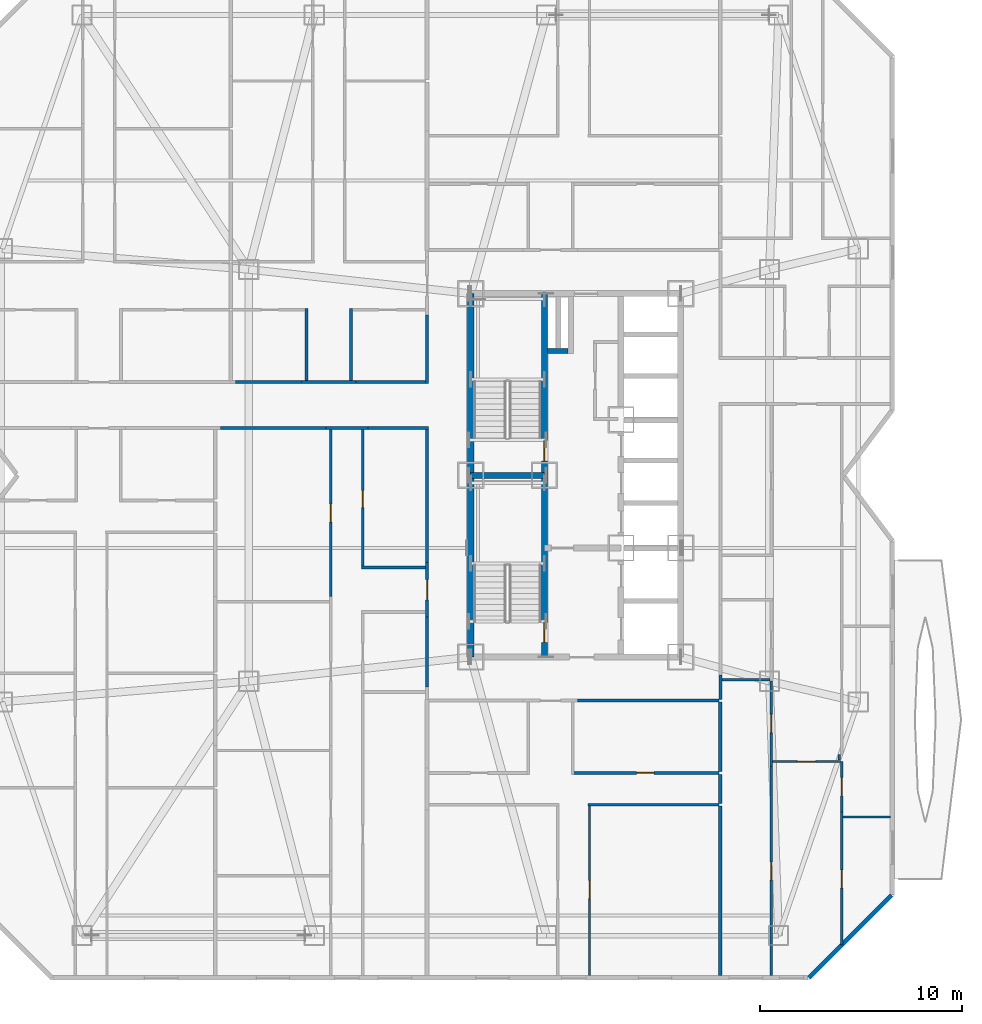
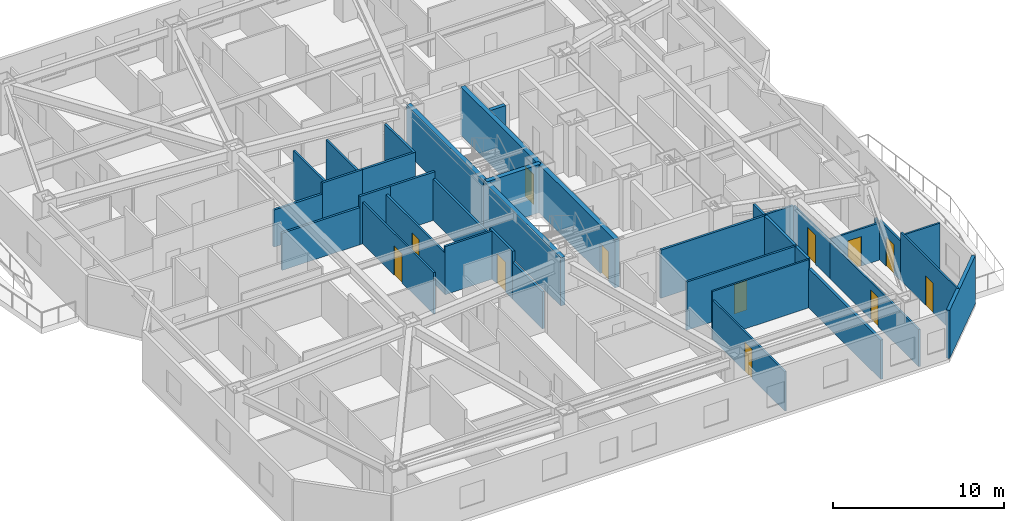
# One storey, part 10 of 16: 38 walls, 12 doors, 12 openings.
"""IFC4 building model written with IfcOpenShell, lengths in metres."""

from ifc_helpers import new_model, si_unit, direction, frame, frame_2d, origin, place, context, subcontext, project, spatial, rectangle, extrude, material, layer, layer_set, type_object, element, fill, save


model = new_model("IFC4")

# Units and contexts
model_context = context("Model", 3, precision=1e-05, world=origin(), true_north=direction((0.0, 1.0)))
body_context = subcontext(model_context, "Body", "Model", "MODEL_VIEW")
ifc_project = project(units=[si_unit("LENGTHUNIT", "METRE"), si_unit("AREAUNIT", "SQUARE_METRE"), si_unit("VOLUMEUNIT", "CUBIC_METRE"), si_unit("PLANEANGLEUNIT", "RADIAN"), si_unit("MASSUNIT", "GRAM", prefix="KILO")], contexts=[model_context])

# Site, building, storey
site_placement = place(None, origin())
site = spatial("IfcSite", under=ifc_project, at=site_placement, CompositionType="ELEMENT")
building_placement = place(site_placement, origin())
building = spatial("IfcBuilding", under=site, at=building_placement, Name="Khamvora Tower", CompositionType="ELEMENT")
storey_placement = place(building_placement, frame((0.0, 0.0, 77.10009765625)))
storey = spatial("IfcBuildingStorey", under=building, at=storey_placement, Name="L19", CompositionType="ELEMENT", Elevation=77.10009765625)

# Walls
ifc_material_1 = material(Name="Concrete C50/60", Category="concrete")
ifc_layer_1 = layer(ifc_material_1, 0.300048828125)
ifc_layer_set_1 = layer_set([ifc_layer_1], Name="Concrete C50/60")
wall_type_1 = type_object("IfcWallType", Name="WAL-CORE-300", PredefinedType="SHEAR", material=ifc_layer_set_1)
for number, where, z_axis, x_axis, name in (
    (1, (29.0, 19.0, 0.0), (0.0, 0.0, 1.0), (0.0, 1.0, 0.0), "L19 central core west south wall"),
    (2, (29.0, 28.0, 0.0), (0.0, 0.0, 1.0), (0.0, 1.0, 0.0), "L19 central core west north wall"),
):
    element("IfcWall", number, at=place(storey_placement, frame(where, z_axis=z_axis, x_axis=x_axis)), inside=storey, type_object=wall_type_1, Name=name, PredefinedType="SHEAR", context=body_context, shape_type="SweptSolid", body=[
        extrude(rectangle(XDim=9.0, YDim=0.300048828125, at=frame_2d((4.5, 0.0))), origin(), (0.0, 0.0, 1.0), 3.429931640625),
    ])

# Wall, opening, door
wall_1_placement = place(storey_placement, frame((32.64990234375, 19.0, 0.0), z_axis=(0.0, 0.0, 1.0), x_axis=(0.0, 1.0, 0.0)))
wall_1 = element("IfcWall", 3, at=wall_1_placement, inside=storey, type_object=wall_type_1, Name="L19 central core stair south spine wall", PredefinedType="SHEAR", context=body_context, shape_type="SweptSolid", body=[
    extrude(rectangle(XDim=9.0, YDim=0.300048828125, at=frame_2d((4.5, 0.0))), origin(), (0.0, 0.0, 1.0), 3.429931640625),
])
opening_1_placement = place(wall_1_placement, frame((0.719970703125, 0.0, 0.0)))
opening_1 = element("IfcOpeningElement", 4, at=opening_1_placement, cuts=wall_1, Name="Opening D-ST1", PredefinedType="OPENING", context=body_context, shape_type="SweptSolid", body=[
    extrude(rectangle(XDim=1.0, YDim=2.14990234375, at=frame_2d((0.5, 1.074951171875))), frame((0.0, 0.159912109375, 0.0), z_axis=(0.0, -1.0, 0.0), x_axis=(1.0, 0.0, 0.0)), (0.0, 0.0, 1.0), 0.320068359375),
])
ifc_material_2 = material(Name="Powder-Coated Steel and Hardwood Leaf", Category="steel")
door_type_1 = type_object("IfcDoorType", Name="DOR-STAIR-1000", OperationType="NOTDEFINED", PredefinedType="DOOR", material=ifc_material_2)
door_1_placement = place(opening_1_placement, origin())
door_1 = element("IfcDoor", 5, at=door_1_placement, inside=storey, type_object=door_type_1, Name="L19 exit stair ST-01 fire door", OperationType="SINGLE_SWING_RIGHT", OverallHeight=2.14990234375, OverallWidth=1.0, PredefinedType="DOOR", context=body_context, shape_type="SweptSolid", body=[
    extrude(rectangle(XDim=1.0, YDim=2.14990234375, at=frame_2d((0.5, 1.074951171875))), frame((0.0, 0.02490234375, 0.0), z_axis=(0.0, -1.0, 0.0), x_axis=(1.0, 0.0, 0.0)), (0.0, 0.0, 1.0), 0.050048828125),
])
fill(opening_1, door_1)

wall_2_placement = place(storey_placement, frame((32.64990234375, 28.0, 0.0), z_axis=(0.0, 0.0, 1.0), x_axis=(0.0, 1.0, 0.0)))
wall_2 = element("IfcWall", 6, at=wall_2_placement, inside=storey, type_object=wall_type_1, Name="L19 central core stair north spine wall", PredefinedType="SHEAR", context=body_context, shape_type="SweptSolid", body=[
    extrude(rectangle(XDim=9.0, YDim=0.300048828125, at=frame_2d((4.5, 0.0))), origin(), (0.0, 0.0, 1.0), 3.429931640625),
])
opening_2_placement = place(wall_2_placement, frame((0.719970703125, 0.0, 0.0)))
opening_2 = element("IfcOpeningElement", 7, at=opening_2_placement, cuts=wall_2, Name="Opening D-ST1", PredefinedType="OPENING", context=body_context, shape_type="SweptSolid", body=[
    extrude(rectangle(XDim=1.0, YDim=2.14990234375, at=frame_2d((0.5, 1.074951171875))), frame((0.0, 0.159912109375, 0.0), z_axis=(0.0, -1.0, 0.0), x_axis=(1.0, 0.0, 0.0)), (0.0, 0.0, 1.0), 0.320068359375),
])
door_2_placement = place(opening_2_placement, origin())
door_2 = element("IfcDoor", 8, at=door_2_placement, inside=storey, type_object=door_type_1, Name="L19 exit stair ST-02 fire door", OperationType="SINGLE_SWING_RIGHT", OverallHeight=2.14990234375, OverallWidth=1.0, PredefinedType="DOOR", context=body_context, shape_type="SweptSolid", body=[
    extrude(rectangle(XDim=1.0, YDim=2.14990234375, at=frame_2d((0.5, 1.074951171875))), frame((0.0, 0.02490234375, 0.0), z_axis=(0.0, -1.0, 0.0), x_axis=(1.0, 0.0, 0.0)), (0.0, 0.0, 1.0), 0.050048828125),
])
fill(opening_2, door_2)

# Wall
wall_3_placement = place(storey_placement, frame((29.0, 28.0, 0.0), z_axis=(0.0, 0.0, 1.0), x_axis=(1.0, 0.0, 0.0)))
element("IfcWall", 9, at=wall_3_placement, inside=storey, type_object=wall_type_1, Name="L19 central core stair cross wall", PredefinedType="SHEAR", context=body_context, shape_type="SweptSolid", body=[
    extrude(rectangle(XDim=3.64990234375, YDim=0.300048828125, at=frame_2d((1.824951171875, 0.0))), origin(), (0.0, 0.0, 1.0), 3.429931640625),
])

# Wall, opening, door
ifc_material_3 = material(Name="Fire-Rated Drywall and Steel Stud", Category="steel")
ifc_layer_2 = layer(ifc_material_3, 0.14990234375)
ifc_layer_set_2 = layer_set([ifc_layer_2], Name="Fire-Rated Drywall and Steel Stud")
wall_type_2 = type_object("IfcWallType", Name="WAL-CORR-150", PredefinedType="STANDARD", material=ifc_layer_set_2)
wall_4_placement = place(storey_placement, frame((26.8349609375, 20.985107421875, 0.0), z_axis=(0.0, 0.0, 1.0), x_axis=(0.0, 1.0, 0.0)))
wall_4 = element("IfcWall", 10, at=wall_4_placement, inside=storey, type_object=wall_type_2, Name="L19 interior partition wall 008", PredefinedType="STANDARD", context=body_context, shape_type="SweptSolid", body=[
    extrude(rectangle(XDim=2.697998046875, YDim=0.14990234375, at=frame_2d((1.34912109375, 0.0))), origin(), (0.0, 0.0, 1.0), 3.429931640625),
])
opening_3_placement = place(wall_4_placement, frame((0.84912109375, 0.0, 0.0)))
opening_3 = element("IfcOpeningElement", 11, at=opening_3_placement, cuts=wall_4, Name="Opening D-U1", PredefinedType="OPENING", context=body_context, shape_type="SweptSolid", body=[
    extrude(rectangle(XDim=1.0, YDim=2.14990234375, at=frame_2d((0.5, 1.074951171875))), frame((0.0, 0.0849609375, 0.0), z_axis=(0.0, -1.0, 0.0), x_axis=(1.0, 0.0, 0.0)), (0.0, 0.0, 1.0), 0.169921875),
])
door_type_2 = type_object("IfcDoorType", Name="DOR-UNIT-1000", OperationType="NOTDEFINED", PredefinedType="DOOR", material=ifc_material_2)
door_3_placement = place(opening_3_placement, origin())
door_3 = element("IfcDoor", 12, at=door_3_placement, inside=storey, type_object=door_type_2, Name="L19 interior door COR-19WA2H", OperationType="SINGLE_SWING_RIGHT", OverallHeight=2.14990234375, OverallWidth=1.0, PredefinedType="DOOR", context=body_context, shape_type="SweptSolid", body=[
    extrude(rectangle(XDim=1.0, YDim=2.14990234375, at=frame_2d((0.5, 1.074951171875))), frame((0.0, 0.02490234375, 0.0), z_axis=(0.0, -1.0, 0.0), x_axis=(1.0, 0.0, 0.0)), (0.0, 0.0, 1.0), 0.050048828125),
])
fill(opening_3, door_3)

# Walls
wall_5_placement = place(storey_placement, frame((23.89990234375, 30.3349609375, 0.0), z_axis=(0.0, 0.0, 1.0), x_axis=(-1.0, 0.0, 0.0)))
element("IfcWall", 13, at=wall_5_placement, inside=storey, type_object=wall_type_2, Name="L19 interior partition wall 009", PredefinedType="STANDARD", context=body_context, shape_type="SweptSolid", body=[
    extrude(rectangle(XDim=2.078857421875, YDim=0.14990234375, at=frame_2d((1.03955078125, 0.0))), origin(), (0.0, 0.0, 1.0), 3.429931640625),
])
wall_6_placement = place(storey_placement, frame((26.8349609375, 17.51806640625, 0.0), z_axis=(0.0, 0.0, 1.0), x_axis=(0.0, 1.0, 0.0)))
element("IfcWall", 14, at=wall_6_placement, inside=storey, type_object=wall_type_2, Name="L19 interior partition wall 010", PredefinedType="STANDARD", context=body_context, shape_type="SweptSolid", body=[
    extrude(rectangle(XDim=3.467041015625, YDim=0.14990234375, at=frame_2d((1.7333984375, 0.0))), origin(), (0.0, 0.0, 1.0), 2.64697265625),
])
wall_7_placement = place(storey_placement, frame((26.8349609375, 23.68310546875, 0.0), z_axis=(0.0, 0.0, 1.0), x_axis=(0.0, 1.0, 0.0)))
element("IfcWall", 15, at=wall_7_placement, inside=storey, type_object=wall_type_2, Name="L19 interior partition wall 011", PredefinedType="STANDARD", context=body_context, shape_type="SweptSolid", body=[
    extrude(rectangle(XDim=6.716796875, YDim=0.14990234375, at=frame_2d((3.3583984375, 0.0))), origin(), (0.0, 0.0, 1.0), 2.9609375),
])
wall_8_placement = place(storey_placement, frame((26.89794921875, 30.3349609375, 0.0), z_axis=(0.0, 0.0, 1.0), x_axis=(-1.0, 0.0, 0.0)))
element("IfcWall", 16, at=wall_8_placement, inside=storey, type_object=wall_type_2, Name="L19 interior partition wall 012", PredefinedType="STANDARD", context=body_context, shape_type="SweptSolid", body=[
    extrude(rectangle(XDim=2.998046875, YDim=0.14990234375, at=frame_2d((1.4990234375, 0.0))), origin(), (0.0, 0.0, 1.0), 3.429931640625),
])
wall_9_placement = place(storey_placement, frame((21.821044921875, 30.3349609375, 0.0), z_axis=(0.0, 0.0, 1.0), x_axis=(-1.0, 0.0, 0.0)))
element("IfcWall", 17, at=wall_9_placement, inside=storey, type_object=wall_type_2, Name="L19 interior partition wall 013", PredefinedType="STANDARD", context=body_context, shape_type="SweptSolid", body=[
    extrude(rectangle(XDim=5.22509765625, YDim=0.14990234375, at=frame_2d((2.612548828125, 0.0))), origin(), (0.0, 0.0, 1.0), 2.64697265625),
])
wall_10_placement = place(storey_placement, frame((20.62109375, 32.614990234375, 0.0), z_axis=(0.0, 0.0, 1.0), x_axis=(1.0, 0.0, 0.0)))
element("IfcWall", 18, at=wall_10_placement, inside=storey, type_object=wall_type_2, Name="L19 interior partition wall 018", PredefinedType="STANDARD", context=body_context, shape_type="SweptSolid", body=[
    extrude(rectangle(XDim=2.697998046875, YDim=0.14990234375, at=frame_2d((1.34912109375, 0.0))), origin(), (0.0, 0.0, 1.0), 3.429931640625),
])
wall_11_placement = place(storey_placement, frame((17.35400390625, 32.614990234375, 0.0), z_axis=(0.0, 0.0, 1.0), x_axis=(1.0, 0.0, 0.0)))
element("IfcWall", 19, at=wall_11_placement, inside=storey, type_object=wall_type_2, Name="L19 interior partition wall 019", PredefinedType="STANDARD", context=body_context, shape_type="SweptSolid", body=[
    extrude(rectangle(XDim=3.26708984375, YDim=0.14990234375, at=frame_2d((1.633544921875, 0.0))), origin(), (0.0, 0.0, 1.0), 2.64697265625),
])
wall_12_placement = place(storey_placement, frame((26.8349609375, 32.550048828125, 0.0), z_axis=(0.0, 0.0, 1.0), x_axis=(0.0, 1.0, 0.0)))
element("IfcWall", 20, at=wall_12_placement, inside=storey, type_object=wall_type_2, Name="L19 interior partition wall 020", PredefinedType="STANDARD", context=body_context, shape_type="SweptSolid", body=[
    extrude(rectangle(XDim=3.39599609375, YDim=0.14990234375, at=frame_2d((1.697998046875, 0.0))), origin(), (0.0, 0.0, 1.0), 3.429931640625),
])
wall_13_placement = place(storey_placement, frame((23.319091796875, 32.614990234375, 0.0), z_axis=(0.0, 0.0, 1.0), x_axis=(1.0, 0.0, 0.0)))
element("IfcWall", 21, at=wall_13_placement, inside=storey, type_object=wall_type_2, Name="L19 interior partition wall 021", PredefinedType="STANDARD", context=body_context, shape_type="SweptSolid", body=[
    extrude(rectangle(XDim=3.578857421875, YDim=0.14990234375, at=frame_2d((1.78955078125, 0.0))), origin(), (0.0, 0.0, 1.0), 3.429931640625),
])
wall_14_placement = place(storey_placement, frame((41.300048828125, 16.8349609375, 0.0), z_axis=(0.0, 0.0, 1.0), x_axis=(-1.0, 0.0, 0.0)))
element("IfcWall", 22, at=wall_14_placement, inside=storey, type_object=wall_type_2, Name="L19 interior partition wall 025", PredefinedType="STANDARD", context=body_context, shape_type="SweptSolid", body=[
    extrude(rectangle(XDim=7.0009765625, YDim=0.14990234375, at=frame_2d((3.50048828125, 0.0))), origin(), (0.0, 0.0, 1.0), 3.429931640625),
])
wall_15_placement = place(storey_placement, frame((41.364990234375, 18.117919921875, 0.0), z_axis=(0.0, 0.0, 1.0), x_axis=(0.0, -1.0, 0.0)))
element("IfcWall", 23, at=wall_15_placement, inside=storey, type_object=wall_type_2, Name="L19 interior partition wall 029", PredefinedType="STANDARD", context=body_context, shape_type="SweptSolid", body=[
    extrude(rectangle(XDim=1.218017578125, YDim=0.14990234375, at=frame_2d((0.60888671875, 0.0))), origin(), (0.0, 0.0, 1.0), 3.429931640625),
])
ifc_material_4 = material(Name="Acoustic Double-Stud Fire Wall", Category="gypsum")
ifc_layer_3 = layer(ifc_material_4, 0.179931640625)
ifc_layer_set_3 = layer_set([ifc_layer_3], Name="Acoustic Double-Stud Fire Wall")
wall_type_3 = type_object("IfcWallType", Name="WAL-CORR-180", PredefinedType="STANDARD", material=ifc_layer_set_3)
wall_16_placement = place(storey_placement, frame((41.364990234375, 13.18994140625, 0.0), z_axis=(0.0, 0.0, 1.0), x_axis=(0.0, -1.0, 0.0)))
element("IfcWall", 24, at=wall_16_placement, inside=storey, type_object=wall_type_3, Name="L19 interior partition wall 121", PredefinedType="STANDARD", context=body_context, shape_type="SweptSolid", body=[
    extrude(rectangle(XDim=1.449951171875, YDim=0.179931640625, at=frame_2d((0.72509765625, 0.0))), origin(), (0.0, 0.0, 1.0), 3.429931640625),
])
wall_17_placement = place(storey_placement, frame((41.364990234375, 16.77001953125, 0.0), z_axis=(0.0, 0.0, 1.0), x_axis=(0.0, -1.0, 0.0)))
element("IfcWall", 25, at=wall_17_placement, inside=storey, type_object=wall_type_3, Name="L19 interior partition wall 122", PredefinedType="STANDARD", context=body_context, shape_type="SweptSolid", body=[
    extrude(rectangle(XDim=3.449951171875, YDim=0.179931640625, at=frame_2d((1.72509765625, 0.0))), origin(), (0.0, 0.0, 1.0), 3.429931640625),
])
wall_18_placement = place(storey_placement, frame((41.364990234375, 11.610107421875, 0.0), z_axis=(0.0, 0.0, 1.0), x_axis=(0.0, -1.0, 0.0)))
element("IfcWall", 26, at=wall_18_placement, inside=storey, type_object=wall_type_3, Name="L19 interior partition wall 123", PredefinedType="STANDARD", context=body_context, shape_type="SweptSolid", body=[
    extrude(rectangle(XDim=8.398193359375, YDim=0.179931640625, at=frame_2d((4.19921875, 0.0))), origin(), (0.0, 0.0, 1.0), 2.802978515625),
])
ifc_material_5 = material(Name="Precast concrete C40/50", Category="concrete")
ifc_layer_4 = layer(ifc_material_5, 0.219970703125)
ifc_layer_set_4 = layer_set([ifc_layer_4], Name="Precast concrete C40/50")
wall_type_4 = type_object("IfcWallType", Name="WAL-EXT-220", PredefinedType="STANDARD", material=ifc_layer_set_4)
wall_19_placement = place(storey_placement, frame((49.840087890625, 7.196044921875, 0.0), z_axis=(0.0, 0.0, 1.0), x_axis=(-0.707127905562, -0.70708565618, 0.0)))
element("IfcWall", 27, at=wall_19_placement, inside=storey, type_object=wall_type_4, Name="L19 exterior facade wall 13.1", PredefinedType="STANDARD", context=body_context, shape_type="SweptSolid", body=[
    extrude(rectangle(XDim=5.778564453125, YDim=0.219970703125, at=frame_2d((2.88916015625, 0.0))), origin(), (0.0, 0.0, 1.0), 3.429931640625),
])

# Wall, opening, door
ifc_material_6 = material(Name="Gypsum Plasterboard Partition", Category="gypsum")
ifc_layer_5 = layer(ifc_material_6, 0.1201171875)
ifc_layer_set_5 = layer_set([ifc_layer_5], Name="Gypsum Plasterboard Partition")
wall_type_5 = type_object("IfcWallType", Name="WAL-PART-120", PredefinedType="PARTITIONING", material=ifc_layer_set_5)
wall_20_placement = place(storey_placement, frame((22.070068359375, 21.987060546875, 0.0), z_axis=(0.0, 0.0, 1.0), x_axis=(0.0, 1.0, 0.0)))
wall_20 = element("IfcWall", 28, at=wall_20_placement, inside=storey, type_object=wall_type_5, Name="L19 interior partition wall 076", PredefinedType="PARTITIONING", context=body_context, shape_type="SweptSolid", body=[
    extrude(rectangle(XDim=8.282958984375, YDim=0.1201171875, at=frame_2d((4.1416015625, 0.0))), origin(), (0.0, 0.0, 1.0), 2.9609375),
])
opening_4_placement = place(wall_20_placement, frame((3.69091796875, 0.0, 0.0)))
opening_4 = element("IfcOpeningElement", 29, at=opening_4_placement, cuts=wall_20, Name="Opening D-RM1", PredefinedType="OPENING", context=body_context, shape_type="SweptSolid", body=[
    extrude(rectangle(XDim=0.89990234375, YDim=2.10009765625, at=frame_2d((0.449951171875, 1.050048828125))), frame((0.0, 0.070068359375, 0.0), z_axis=(0.0, -1.0, 0.0), x_axis=(1.0, 0.0, 0.0)), (0.0, 0.0, 1.0), 0.14013671875),
])
door_type_3 = type_object("IfcDoorType", Name="DOR-ROOM-900", OperationType="NOTDEFINED", PredefinedType="DOOR", material=ifc_material_2)
door_4_placement = place(opening_4_placement, origin())
door_4 = element("IfcDoor", 30, at=door_4_placement, inside=storey, type_object=door_type_3, Name="L19 interior door 19WA2H-19WA2R4", OperationType="SINGLE_SWING_LEFT", OverallHeight=2.10009765625, OverallWidth=0.89990234375, PredefinedType="DOOR", context=body_context, shape_type="SweptSolid", body=[
    extrude(rectangle(XDim=0.89990234375, YDim=2.10009765625, at=frame_2d((0.449951171875, 1.050048828125))), frame((0.0, 0.02490234375, 0.0), z_axis=(0.0, -1.0, 0.0), x_axis=(1.0, 0.0, 0.0)), (0.0, 0.0, 1.0), 0.050048828125),
])
fill(opening_4, door_4)

# Wall
wall_21_placement = place(storey_placement, frame((41.300048828125, 11.675048828125, 0.0), z_axis=(0.0, 0.0, 1.0), x_axis=(-1.0, 0.0, 0.0)))
element("IfcWall", 31, at=wall_21_placement, inside=storey, type_object=wall_type_5, Name="L19 interior partition wall 119", PredefinedType="PARTITIONING", context=body_context, shape_type="SweptSolid", body=[
    extrude(rectangle(XDim=6.47998046875, YDim=0.1201171875, at=frame_2d((3.239990234375, 0.0))), origin(), (0.0, 0.0, 1.0), 3.429931640625),
])

# Wall, opening, door
wall_22_placement = place(storey_placement, frame((34.885009765625, 11.739990234375, 0.0), z_axis=(0.0, 0.0, 1.0), x_axis=(0.0, -1.0, 0.0)))
wall_22 = element("IfcWall", 32, at=wall_22_placement, inside=storey, type_object=wall_type_5, Name="L19 interior partition wall 120", PredefinedType="PARTITIONING", context=body_context, shape_type="SweptSolid", body=[
    extrude(rectangle(XDim=8.528076171875, YDim=0.1201171875, at=frame_2d((4.26416015625, 0.0))), origin(), (0.0, 0.0, 1.0), 2.802978515625),
])
opening_5_placement = place(wall_22_placement, frame((3.81396484375, 0.0, 0.0)))
opening_5 = element("IfcOpeningElement", 33, at=opening_5_placement, cuts=wall_22, Name="Opening D-RM1", PredefinedType="OPENING", context=body_context, shape_type="SweptSolid", body=[
    extrude(rectangle(XDim=0.89990234375, YDim=2.10009765625, at=frame_2d((0.449951171875, 1.050048828125))), frame((0.0, 0.070068359375, 0.0), z_axis=(0.0, -1.0, 0.0), x_axis=(1.0, 0.0, 0.0)), (0.0, 0.0, 1.0), 0.14013671875),
])
door_5_placement = place(opening_5_placement, origin())
door_5 = element("IfcDoor", 34, at=door_5_placement, inside=storey, type_object=door_type_3, Name="L19 interior door 19SAH-19SAR2", OperationType="SINGLE_SWING_RIGHT", OverallHeight=2.10009765625, OverallWidth=0.89990234375, PredefinedType="DOOR", context=body_context, shape_type="SweptSolid", body=[
    extrude(rectangle(XDim=0.89990234375, YDim=2.10009765625, at=frame_2d((0.449951171875, 1.050048828125))), frame((0.0, 0.02490234375, 0.0), z_axis=(0.0, -1.0, 0.0), x_axis=(1.0, 0.0, 0.0)), (0.0, 0.0, 1.0), 0.050048828125),
])
fill(opening_5, door_5)

wall_23_placement = place(storey_placement, frame((43.89501953125, 17.803955078125, 0.0), z_axis=(0.0, 0.0, 1.0), x_axis=(0.0, -1.0, 0.0)))
wall_23 = element("IfcWall", 35, at=wall_23_placement, inside=storey, type_object=wall_type_5, Name="L19 interior partition wall 136", PredefinedType="PARTITIONING", context=body_context, shape_type="SweptSolid", body=[
    extrude(rectangle(XDim=4.23095703125, YDim=0.1201171875, at=frame_2d((2.115478515625, 0.0))), origin(), (0.0, 0.0, 1.0), 2.64697265625),
])
opening_6_placement = place(wall_23_placement, frame((1.64501953125, 0.0, 0.0)))
opening_6 = element("IfcOpeningElement", 36, at=opening_6_placement, cuts=wall_23, Name="Opening D-RM1", PredefinedType="OPENING", context=body_context, shape_type="SweptSolid", body=[
    extrude(rectangle(XDim=0.89990234375, YDim=2.10009765625, at=frame_2d((0.449951171875, 1.050048828125))), frame((0.0, 0.070068359375, 0.0), z_axis=(0.0, -1.0, 0.0), x_axis=(1.0, 0.0, 0.0)), (0.0, 0.0, 1.0), 0.14013671875),
])
door_6_placement = place(opening_6_placement, origin())
door_6 = element("IfcDoor", 37, at=door_6_placement, inside=storey, type_object=door_type_3, Name="L19 interior door 19EAW1-19EAH", OperationType="SINGLE_SWING_LEFT", OverallHeight=2.10009765625, OverallWidth=0.89990234375, PredefinedType="DOOR", context=body_context, shape_type="SweptSolid", body=[
    extrude(rectangle(XDim=0.89990234375, YDim=2.10009765625, at=frame_2d((0.449951171875, 1.050048828125))), frame((0.0, 0.02490234375, 0.0), z_axis=(0.0, -1.0, 0.0), x_axis=(1.0, 0.0, 0.0)), (0.0, 0.0, 1.0), 0.050048828125),
])
fill(opening_6, door_6)

wall_24_placement = place(storey_placement, frame((43.89501953125, 13.572998046875, 0.0), z_axis=(0.0, 0.0, 1.0), x_axis=(0.0, -1.0, 0.0)))
wall_24 = element("IfcWall", 38, at=wall_24_placement, inside=storey, type_object=wall_type_5, Name="L19 interior partition wall 137", PredefinedType="PARTITIONING", context=body_context, shape_type="SweptSolid", body=[
    extrude(rectangle(XDim=10.361083984375, YDim=0.1201171875, at=frame_2d((5.1806640625, 0.0))), origin(), (0.0, 0.0, 1.0), 2.64697265625),
])
opening_7_placement = place(wall_24_placement, frame((4.73095703125, 0.0, 0.0)))
opening_7 = element("IfcOpeningElement", 39, at=opening_7_placement, cuts=wall_24, Name="Opening D-RM1", PredefinedType="OPENING", context=body_context, shape_type="SweptSolid", body=[
    extrude(rectangle(XDim=0.89990234375, YDim=2.10009765625, at=frame_2d((0.449951171875, 1.050048828125))), frame((0.0, 0.070068359375, 0.0), z_axis=(0.0, -1.0, 0.0), x_axis=(1.0, 0.0, 0.0)), (0.0, 0.0, 1.0), 0.14013671875),
])
door_7_placement = place(opening_7_placement, origin())
door_7 = element("IfcDoor", 40, at=door_7_placement, inside=storey, type_object=door_type_3, Name="L19 interior door 19EAW1-19EAD", OperationType="SINGLE_SWING_RIGHT", OverallHeight=2.10009765625, OverallWidth=0.89990234375, PredefinedType="DOOR", context=body_context, shape_type="SweptSolid", body=[
    extrude(rectangle(XDim=0.89990234375, YDim=2.10009765625, at=frame_2d((0.449951171875, 1.050048828125))), frame((0.0, 0.02490234375, 0.0), z_axis=(0.0, -1.0, 0.0), x_axis=(1.0, 0.0, 0.0)), (0.0, 0.0, 1.0), 0.050048828125),
])
fill(opening_7, door_7)

wall_25_placement = place(storey_placement, frame((47.31005859375, 13.822021484375, 0.0), z_axis=(0.0, 0.0, 1.0), x_axis=(-1.0, 0.0, 0.0)))
wall_25 = element("IfcWall", 41, at=wall_25_placement, inside=storey, type_object=wall_type_5, Name="L19 interior partition wall 139", PredefinedType="PARTITIONING", context=body_context, shape_type="SweptSolid", body=[
    extrude(rectangle(XDim=3.361083984375, YDim=0.1201171875, at=frame_2d((1.6806640625, 0.0))), origin(), (0.0, 0.0, 1.0), 2.64697265625),
])
opening_8_placement = place(wall_25_placement, frame((1.23095703125, 0.0, 0.0)))
opening_8 = element("IfcOpeningElement", 42, at=opening_8_placement, cuts=wall_25, Name="Opening D-RM1", PredefinedType="OPENING", context=body_context, shape_type="SweptSolid", body=[
    extrude(rectangle(XDim=0.89990234375, YDim=2.10009765625, at=frame_2d((0.449951171875, 1.050048828125))), frame((0.0, 0.070068359375, 0.0), z_axis=(0.0, -1.0, 0.0), x_axis=(1.0, 0.0, 0.0)), (0.0, 0.0, 1.0), 0.14013671875),
])
door_8_placement = place(opening_8_placement, origin())
door_8 = element("IfcDoor", 43, at=door_8_placement, inside=storey, type_object=door_type_3, Name="L19 interior door 19EAH-19EAD", OperationType="SINGLE_SWING_LEFT", OverallHeight=2.10009765625, OverallWidth=0.89990234375, PredefinedType="DOOR", context=body_context, shape_type="SweptSolid", body=[
    extrude(rectangle(XDim=0.89990234375, YDim=2.10009765625, at=frame_2d((0.449951171875, 1.050048828125))), frame((0.0, 0.02490234375, 0.0), z_axis=(0.0, -1.0, 0.0), x_axis=(1.0, 0.0, 0.0)), (0.0, 0.0, 1.0), 0.050048828125),
])
fill(opening_8, door_8)

# Wall
wall_26_placement = place(storey_placement, frame((47.2451171875, 14.162109375, 0.0), z_axis=(0.0, 0.0, 1.0), x_axis=(0.0, -1.0, 0.0)))
element("IfcWall", 44, at=wall_26_placement, inside=storey, type_object=wall_type_5, Name="L19 interior partition wall 140", PredefinedType="PARTITIONING", context=body_context, shape_type="SweptSolid", body=[
    extrude(rectangle(XDim=0.275146484375, YDim=0.1201171875, at=frame_2d((0.1376953125, 0.0))), origin(), (0.0, 0.0, 1.0), 2.802978515625),
])

# Wall, opening, door
wall_27_placement = place(storey_placement, frame((47.375, 11.322998046875, 0.0), z_axis=(0.0, 0.0, 1.0), x_axis=(0.0, -1.0, 0.0)))
wall_27 = element("IfcWall", 45, at=wall_27_placement, inside=storey, type_object=wall_type_5, Name="L19 interior partition wall 147", PredefinedType="PARTITIONING", context=body_context, shape_type="SweptSolid", body=[
    extrude(rectangle(XDim=6.60107421875, YDim=0.1201171875, at=frame_2d((3.300537109375, 0.0))), origin(), (0.0, 0.0, 1.0), 3.429931640625),
])
opening_9_placement = place(wall_27_placement, frame((2.87109375, 0.0, 0.0)))
opening_9 = element("IfcOpeningElement", 46, at=opening_9_placement, cuts=wall_27, Name="Opening D-RM1", PredefinedType="OPENING", context=body_context, shape_type="SweptSolid", body=[
    extrude(rectangle(XDim=0.89990234375, YDim=2.10009765625, at=frame_2d((0.449951171875, 1.050048828125))), frame((0.0, 0.070068359375, 0.0), z_axis=(0.0, -1.0, 0.0), x_axis=(1.0, 0.0, 0.0)), (0.0, 0.0, 1.0), 0.14013671875),
])
door_9_placement = place(opening_9_placement, origin())
door_9 = element("IfcDoor", 47, at=door_9_placement, inside=storey, type_object=door_type_3, Name="L19 interior door 19EAD-19EAL", OperationType="SINGLE_SWING_LEFT", OverallHeight=2.10009765625, OverallWidth=0.89990234375, PredefinedType="DOOR", context=body_context, shape_type="SweptSolid", body=[
    extrude(rectangle(XDim=0.89990234375, YDim=2.10009765625, at=frame_2d((0.449951171875, 1.050048828125))), frame((0.0, 0.02490234375, 0.0), z_axis=(0.0, -1.0, 0.0), x_axis=(1.0, 0.0, 0.0)), (0.0, 0.0, 1.0), 0.050048828125),
])
fill(opening_9, door_9)

wall_28_placement = place(storey_placement, frame((47.375, 13.822021484375, 0.0), z_axis=(0.0, 0.0, 1.0), x_axis=(0.0, -1.0, 0.0)))
wall_28 = element("IfcWall", 48, at=wall_28_placement, inside=storey, type_object=wall_type_5, Name="L19 interior partition wall 148", PredefinedType="PARTITIONING", context=body_context, shape_type="SweptSolid", body=[
    extrude(rectangle(XDim=2.4990234375, YDim=0.1201171875, at=frame_2d((1.24951171875, 0.0))), origin(), (0.0, 0.0, 1.0), 2.802978515625),
])
opening_10_placement = place(wall_28_placement, frame((0.800048828125, 0.0, 0.0)))
opening_10 = element("IfcOpeningElement", 49, at=opening_10_placement, cuts=wall_28, Name="Opening D-RM1", PredefinedType="OPENING", context=body_context, shape_type="SweptSolid", body=[
    extrude(rectangle(XDim=0.89990234375, YDim=2.10009765625, at=frame_2d((0.449951171875, 1.050048828125))), frame((0.0, 0.070068359375, 0.0), z_axis=(0.0, -1.0, 0.0), x_axis=(1.0, 0.0, 0.0)), (0.0, 0.0, 1.0), 0.14013671875),
])
door_10_placement = place(opening_10_placement, origin())
door_10 = element("IfcDoor", 50, at=door_10_placement, inside=storey, type_object=door_type_3, Name="L19 interior door 19EAD-19EAR2", OperationType="SINGLE_SWING_RIGHT", OverallHeight=2.10009765625, OverallWidth=0.89990234375, PredefinedType="DOOR", context=body_context, shape_type="SweptSolid", body=[
    extrude(rectangle(XDim=0.89990234375, YDim=2.10009765625, at=frame_2d((0.449951171875, 1.050048828125))), frame((0.0, 0.02490234375, 0.0), z_axis=(0.0, -1.0, 0.0), x_axis=(1.0, 0.0, 0.0)), (0.0, 0.0, 1.0), 0.050048828125),
])
fill(opening_10, door_10)

# Walls
wall_29_placement = place(storey_placement, frame((47.428955078125, 11.073974609375, 0.0), z_axis=(0.0, 0.0, 1.0), x_axis=(1.0, 0.0, 0.0)))
element("IfcWall", 51, at=wall_29_placement, inside=storey, type_object=wall_type_5, Name="L19 interior partition wall 149", PredefinedType="PARTITIONING", context=body_context, shape_type="SweptSolid", body=[
    extrude(rectangle(XDim=2.359130859375, YDim=0.1201171875, at=frame_2d((1.1796875, 0.0))), origin(), (0.0, 0.0, 1.0), 3.429931640625),
])
ifc_material_7 = material(Name="Concrete C40/50", Category="concrete")
ifc_layer_6 = layer(ifc_material_7, 0.25)
ifc_layer_set_6 = layer_set([ifc_layer_6], Name="Concrete C40/50")
wall_type_6 = type_object("IfcWallType", Name="WAL-PODS-250", PredefinedType="SHEAR", material=ifc_layer_set_6)
wall_30_placement = place(storey_placement, frame((32.803955078125, 34.14990234375, 0.0), z_axis=(0.0, 0.0, 1.0), x_axis=(1.0, 0.0, 0.0)))
element("IfcWall", 52, at=wall_30_placement, inside=storey, type_object=wall_type_6, Name="L19 vertical MEP riser shaft south enclosure wall", PredefinedType="SHEAR", context=body_context, shape_type="SweptSolid", body=[
    extrude(rectangle(XDim=1.02197265625, YDim=0.25, at=frame_2d((0.510986328125, 0.0))), origin(), (0.0, 0.0, 1.0), 3.429931640625),
])

# Wall, opening, door
ifc_material_8 = material(Name="Moisture-Resistant Plasterboard Partition", Category="gypsum")
ifc_layer_7 = layer(ifc_material_8, 0.135009765625)
ifc_layer_set_7 = layer_set([ifc_layer_7], Name="Moisture-Resistant Plasterboard Partition")
wall_type_7 = type_object("IfcWallType", Name="WAL-WET-135", PredefinedType="PARTITIONING", material=ifc_layer_set_7)
wall_31_placement = place(storey_placement, frame((23.64990234375, 30.27001953125, 0.0), z_axis=(0.0, 0.0, 1.0), x_axis=(0.0, -1.0, 0.0)))
wall_31 = element("IfcWall", 53, at=wall_31_placement, inside=storey, type_object=wall_type_7, Name="L19 interior partition wall 071", PredefinedType="PARTITIONING", context=body_context, shape_type="SweptSolid", body=[
    extrude(rectangle(XDim=6.901123046875, YDim=0.135009765625, at=frame_2d((3.45068359375, 0.0))), origin(), (0.0, 0.0, 1.0), 2.9609375),
])
opening_11_placement = place(wall_31_placement, frame((3.02587890625, 0.0, 0.0)))
opening_11 = element("IfcOpeningElement", 54, at=opening_11_placement, cuts=wall_31, Name="Opening D-RM2", PredefinedType="OPENING", context=body_context, shape_type="SweptSolid", body=[
    extrude(rectangle(XDim=0.85009765625, YDim=2.10009765625, at=frame_2d((0.425048828125, 1.050048828125))), frame((0.0, 0.077392578125, 0.0), z_axis=(0.0, -1.0, 0.0), x_axis=(1.0, 0.0, 0.0)), (0.0, 0.0, 1.0), 0.155029296875),
])
door_type_4 = type_object("IfcDoorType", Name="DOR-ROOM-850", OperationType="NOTDEFINED", PredefinedType="DOOR", material=ifc_material_2)
door_11_placement = place(opening_11_placement, origin())
door_11 = element("IfcDoor", 55, at=door_11_placement, inside=storey, type_object=door_type_4, Name="L19 interior door 19WA2H-19WA2K", OperationType="SINGLE_SWING_LEFT", OverallHeight=2.10009765625, OverallWidth=0.85009765625, PredefinedType="DOOR", context=body_context, shape_type="SweptSolid", body=[
    extrude(rectangle(XDim=0.85009765625, YDim=2.10009765625, at=frame_2d((0.425048828125, 1.050048828125))), frame((0.0, 0.02490234375, 0.0), z_axis=(0.0, -1.0, 0.0), x_axis=(1.0, 0.0, 0.0)), (0.0, 0.0, 1.0), 0.050048828125),
])
fill(opening_11, door_11)

# Walls
wall_32_placement = place(storey_placement, frame((23.5849609375, 23.43408203125, 0.0), z_axis=(0.0, 0.0, 1.0), x_axis=(1.0, 0.0, 0.0)))
element("IfcWall", 56, at=wall_32_placement, inside=storey, type_object=wall_type_7, Name="L19 interior partition wall 072", PredefinedType="PARTITIONING", context=body_context, shape_type="SweptSolid", body=[
    extrude(rectangle(XDim=3.18505859375, YDim=0.135009765625, at=frame_2d((1.592529296875, 0.0))), origin(), (0.0, 0.0, 1.0), 3.429931640625),
])
for number, where, z_axis, x_axis, name in (
    (57, (20.8701171875, 32.681884765625, 0.0), (0.0, 0.0, 1.0), (0.0, 1.0, 0.0), "L19 interior partition wall 097"),
    (58, (23.070068359375, 36.260009765625, 0.0), (0.0, 0.0, 1.0), (0.0, -1.0, 0.0), "L19 interior partition wall 100"),
):
    element("IfcWall", number, at=place(storey_placement, frame(where, z_axis=z_axis, x_axis=x_axis)), inside=storey, type_object=wall_type_7, Name=name, PredefinedType="PARTITIONING", context=body_context, shape_type="SweptSolid", body=[
        extrude(rectangle(XDim=3.578125, YDim=0.135009765625, at=frame_2d((1.7890625, 0.0))), origin(), (0.0, 0.0, 1.0), 3.429931640625),
    ])

# Wall, opening, door
wall_33_placement = place(storey_placement, frame((33.985107421875, 13.2548828125, 0.0), z_axis=(0.0, 0.0, 1.0), x_axis=(1.0, 0.0, 0.0)))
wall_33 = element("IfcWall", 59, at=wall_33_placement, inside=storey, type_object=wall_type_7, Name="L19 interior partition wall 116", PredefinedType="PARTITIONING", context=body_context, shape_type="SweptSolid", body=[
    extrude(rectangle(XDim=7.31494140625, YDim=0.135009765625, at=frame_2d((3.657470703125, 0.0))), origin(), (0.0, 0.0, 1.0), 3.429931640625),
])
opening_12_placement = place(wall_33_placement, frame((3.23291015625, 0.0, 0.0)))
opening_12 = element("IfcOpeningElement", 60, at=opening_12_placement, cuts=wall_33, Name="Opening D-RM2", PredefinedType="OPENING", context=body_context, shape_type="SweptSolid", body=[
    extrude(rectangle(XDim=0.85009765625, YDim=2.10009765625, at=frame_2d((0.425048828125, 1.050048828125))), frame((0.0, 0.077392578125, 0.0), z_axis=(0.0, -1.0, 0.0), x_axis=(1.0, 0.0, 0.0)), (0.0, 0.0, 1.0), 0.155029296875),
])
door_12_placement = place(opening_12_placement, origin())
door_12 = element("IfcDoor", 61, at=door_12_placement, inside=storey, type_object=door_type_4, Name="L19 interior door 19SAH-19SAK", OperationType="SINGLE_SWING_RIGHT", OverallHeight=2.10009765625, OverallWidth=0.85009765625, PredefinedType="DOOR", context=body_context, shape_type="SweptSolid", body=[
    extrude(rectangle(XDim=0.85009765625, YDim=2.10009765625, at=frame_2d((0.425048828125, 1.050048828125))), frame((0.0, 0.02490234375, 0.0), z_axis=(0.0, -1.0, 0.0), x_axis=(1.0, 0.0, 0.0)), (0.0, 0.0, 1.0), 0.050048828125),
])
fill(opening_12, door_12)

# Wall
wall_34_placement = place(storey_placement, frame((41.431884765625, 17.868896484375, 0.0), z_axis=(0.0, 0.0, 1.0), x_axis=(1.0, 0.0, 0.0)))
element("IfcWall", 62, at=wall_34_placement, inside=storey, type_object=wall_type_7, Name="L19 interior partition wall 138", PredefinedType="PARTITIONING", context=body_context, shape_type="SweptSolid", body=[
    extrude(rectangle(XDim=2.398193359375, YDim=0.135009765625, at=frame_2d((1.19921875, 0.0))), origin(), (0.0, 0.0, 1.0), 2.64697265625),
])

save(model, "model.ifc")
